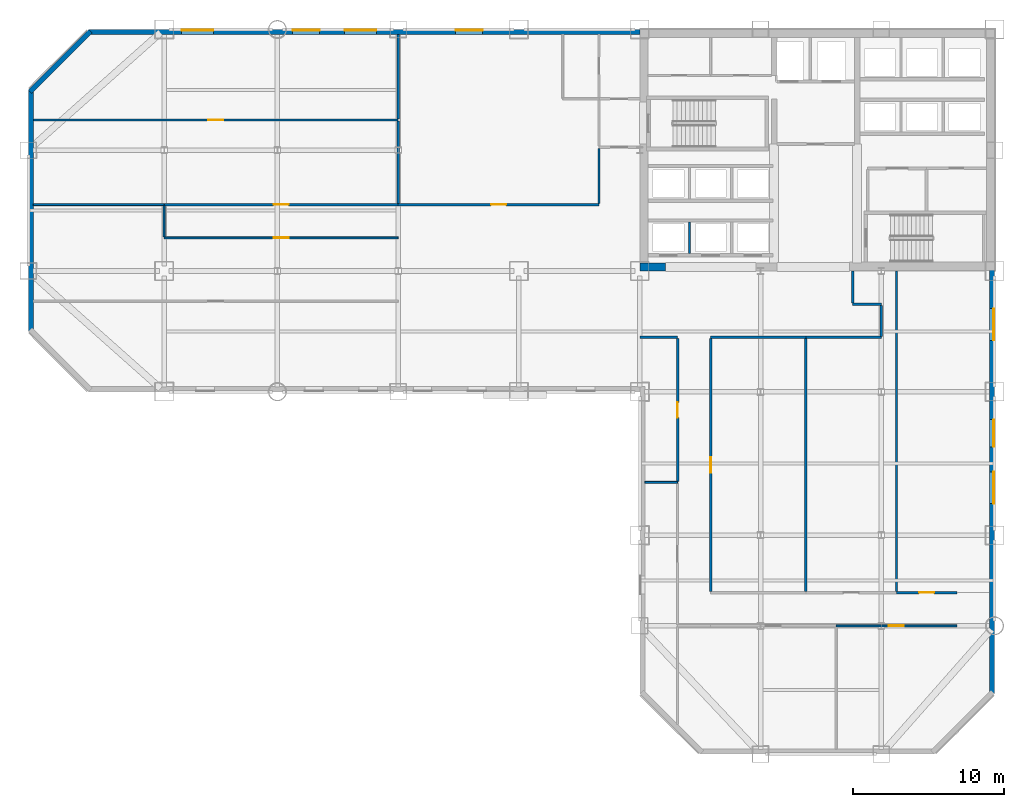
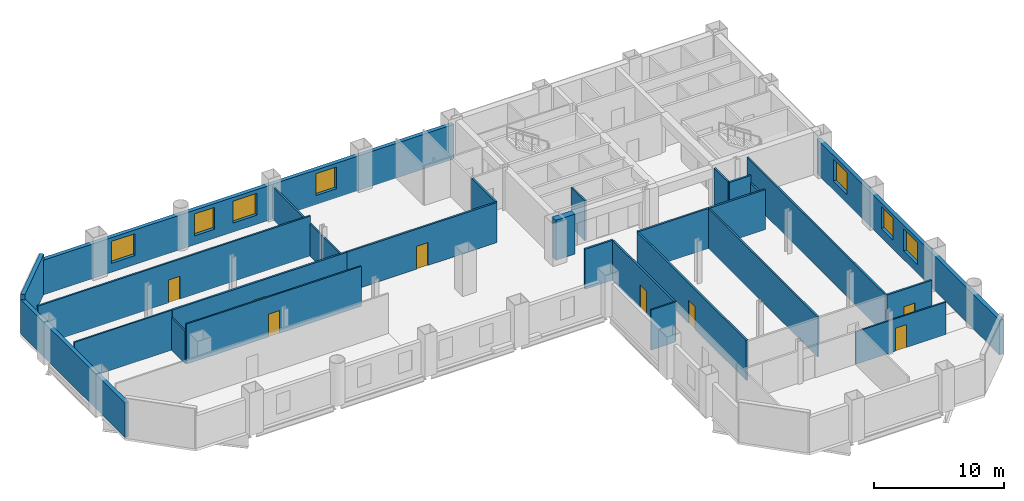
# One storey, part 5 of 9: 28 walls, 8 doors, 7 windows, 15 openings.
"""IFC4 building model written with IfcOpenShell, lengths in metres."""

from ifc_helpers import new_model, si_unit, direction, frame, frame_2d, origin, place, context, subcontext, project, spatial, rectangle, extrude, material, layer, layer_set, type_object, element, fill, save


model = new_model("IFC4")

# Units and contexts
model_context = context("Model", 3, precision=1e-05, world=origin(), true_north=direction((0.0, 1.0)))
body_context = subcontext(model_context, "Body", "Model", "MODEL_VIEW")
ifc_project = project(units=[si_unit("LENGTHUNIT", "METRE"), si_unit("AREAUNIT", "SQUARE_METRE"), si_unit("VOLUMEUNIT", "CUBIC_METRE"), si_unit("PLANEANGLEUNIT", "RADIAN"), si_unit("MASSUNIT", "GRAM", prefix="KILO")], contexts=[model_context])

# Site, building, storey
site_placement = place(None, origin())
site = spatial("IfcSite", under=ifc_project, at=site_placement, CompositionType="ELEMENT")
building_placement = place(site_placement, origin())
building = spatial("IfcBuilding", under=site, at=building_placement, Name="Qianrong Seaharbour Tower", CompositionType="ELEMENT")
storey_placement = place(building_placement, frame((0.0, 0.0, 68.199951171875)))
storey = spatial("IfcBuildingStorey", under=building, at=storey_placement, Name="L16", CompositionType="ELEMENT", Elevation=68.199951171875)

# Wall
ifc_material_1 = material(Name="Concrete C70/85", Category="concrete")
ifc_layer_1 = layer(ifc_material_1, 0.5400390625)
ifc_layer_set_1 = layer_set([ifc_layer_1], Name="Concrete C70/85")
wall_type_1 = type_object("IfcWallType", Name="WALL-CORE-540", PredefinedType="SHEAR", material=ifc_layer_set_1)
wall_1_placement = place(storey_placement, frame((40.5, 36.27001953125, 0.0), z_axis=(0.0, 0.0, 1.0), x_axis=(1.0, 0.0, 0.0)))
element("IfcWall", 1, at=wall_1_placement, inside=storey, type_object=wall_type_1, Name="L16 South Core Shear Wall S1", PredefinedType="SHEAR", context=body_context, shape_type="SweptSolid", body=[
    extrude(rectangle(XDim=1.699951171875, YDim=0.5400390625, at=frame_2d((0.85009765625, 0.0))), origin(), (0.0, 0.0, 1.0), 3.75),
])

# Wall, opening, door
ifc_material_2 = material(Name="Fire-rated acoustic gypsum board partition")
ifc_layer_2 = layer(ifc_material_2, 0.1650390625)
ifc_layer_set_2 = layer_set([ifc_layer_2], Name="Fire-rated acoustic gypsum board partition")
wall_type_2 = type_object("IfcWallType", Name="WALL-CORR-PART-165", PredefinedType="PARTITIONING", material=ifc_layer_set_2)
wall_2_placement = place(storey_placement, frame((24.5, 40.39990234375, 0.0), z_axis=(0.0, 0.0, 1.0), x_axis=(1.0, 0.0, 0.0)))
wall_2 = element("IfcWall", 2, at=wall_2_placement, inside=storey, type_object=wall_type_2, Name="L16 Interior Partition Wall 015", PredefinedType="PARTITIONING", context=body_context, shape_type="SweptSolid", body=[
    extrude(rectangle(XDim=13.300048828125, YDim=0.1650390625, at=frame_2d((6.64990234375, 0.0))), origin(), (0.0, 0.0, 1.0), 3.75),
])
opening_1_placement = place(wall_2_placement, frame((6.14990234375, 0.0, 0.0)))
opening_1 = element("IfcOpeningElement", 3, at=opening_1_placement, cuts=wall_2, Name="Opening DO-01", PredefinedType="OPENING", context=body_context, shape_type="SweptSolid", body=[
    extrude(rectangle(XDim=1.0, YDim=2.14990234375, at=frame_2d((0.5, 1.074951171875))), frame((0.0, 0.092529296875, 0.0), z_axis=(0.0, -1.0, 0.0), x_axis=(1.0, 0.0, 0.0)), (0.0, 0.0, 1.0), 0.18505859375),
])
ifc_material_3 = material(Name="Acoustic timber and galvanized steel fire door assembly", Category="steel")
door_type = type_object("IfcDoorType", Name="DOOR-OFFICE-1000x2150", OperationType="NOTDEFINED", PredefinedType="DOOR", material=ifc_material_3)
door_1_placement = place(opening_1_placement, origin())
door_1 = element("IfcDoor", 4, at=door_1_placement, inside=storey, type_object=door_type, Name="L16 Central Spine Open-Plan Office Door", OperationType="SINGLE_SWING_RIGHT", OverallHeight=2.14990234375, OverallWidth=1.0, PredefinedType="DOOR", context=body_context, shape_type="SweptSolid", body=[
    extrude(rectangle(XDim=1.0, YDim=2.14990234375, at=frame_2d((0.5, 1.074951171875))), frame((0.0, 0.02490234375, 0.0), z_axis=(0.0, -1.0, 0.0), x_axis=(1.0, 0.0, 0.0)), (0.0, 0.0, 1.0), 0.050048828125),
])
fill(opening_1, door_1)

wall_3_placement = place(storey_placement, frame((9.0, 40.39990234375, 0.0), z_axis=(0.0, 0.0, 1.0), x_axis=(1.0, 0.0, 0.0)))
wall_3 = element("IfcWall", 5, at=wall_3_placement, inside=storey, type_object=wall_type_2, Name="L16 Interior Partition Wall 018", PredefinedType="PARTITIONING", context=body_context, shape_type="SweptSolid", body=[
    extrude(rectangle(XDim=15.5, YDim=0.1650390625, at=frame_2d((7.75, 0.0))), origin(), (0.0, 0.0, 1.0), 3.75),
])
opening_2_placement = place(wall_3_placement, frame((7.25, 0.0, 0.0)))
opening_2 = element("IfcOpeningElement", 6, at=opening_2_placement, cuts=wall_3, Name="Opening DO-01", PredefinedType="OPENING", context=body_context, shape_type="SweptSolid", body=[
    extrude(rectangle(XDim=1.0, YDim=2.14990234375, at=frame_2d((0.5, 1.074951171875))), frame((0.0, 0.092529296875, 0.0), z_axis=(0.0, -1.0, 0.0), x_axis=(1.0, 0.0, 0.0)), (0.0, 0.0, 1.0), 0.18505859375),
])
door_2_placement = place(opening_2_placement, origin())
door_2 = element("IfcDoor", 7, at=door_2_placement, inside=storey, type_object=door_type, Name="L16 Hospitality Dining Room 3 Door", OperationType="SINGLE_SWING_LEFT", OverallHeight=2.14990234375, OverallWidth=1.0, PredefinedType="DOOR", context=body_context, shape_type="SweptSolid", body=[
    extrude(rectangle(XDim=1.0, YDim=2.14990234375, at=frame_2d((0.5, 1.074951171875))), frame((0.0, 0.02490234375, 0.0), z_axis=(0.0, -1.0, 0.0), x_axis=(1.0, 0.0, 0.0)), (0.0, 0.0, 1.0), 0.050048828125),
])
fill(opening_2, door_2)

# Walls
wall_4_placement = place(storey_placement, frame((37.800048828125, 40.474609375, 0.0), z_axis=(0.0, 0.0, 1.0), x_axis=(0.0, 1.0, 0.0)))
element("IfcWall", 8, at=wall_4_placement, inside=storey, type_object=wall_type_2, Name="L16 Interior Partition Wall 019", PredefinedType="PARTITIONING", context=body_context, shape_type="SweptSolid", body=[
    extrude(rectangle(XDim=3.65087890625, YDim=0.1650390625, at=frame_2d((1.825439453125, 0.0))), origin(), (0.0, 0.0, 1.0), 3.75),
])
wall_5_placement = place(storey_placement, frame((51.5, 31.60009765625, 0.0), z_axis=(0.0, 0.0, 1.0), x_axis=(-1.0, 0.0, 0.0)))
element("IfcWall", 9, at=wall_5_placement, inside=storey, type_object=wall_type_2, Name="L16 Interior Partition Wall 020", PredefinedType="PARTITIONING", context=body_context, shape_type="SweptSolid", body=[
    extrude(rectangle(XDim=6.300048828125, YDim=0.1650390625, at=frame_2d((3.14990234375, 0.0))), origin(), (0.0, 0.0, 1.0), 3.75),
])
wall_6_placement = place(storey_placement, frame((54.60009765625, 36.0, 0.0), z_axis=(0.0, 0.0, 1.0), x_axis=(0.0, -1.0, 0.0)))
element("IfcWall", 10, at=wall_6_placement, inside=storey, type_object=wall_type_2, Name="L16 Interior Partition Wall 021", PredefinedType="PARTITIONING", context=body_context, shape_type="SweptSolid", body=[
    extrude(rectangle(XDim=2.12548828125, YDim=0.1650390625, at=frame_2d((1.062744140625, 0.0))), origin(), (0.0, 0.0, 1.0), 3.75),
])
wall_7_placement = place(storey_placement, frame((54.60009765625, 33.800048828125, 0.0), z_axis=(0.0, 0.0, 1.0), x_axis=(1.0, 0.0, 0.0)))
element("IfcWall", 11, at=wall_7_placement, inside=storey, type_object=wall_type_2, Name="L16 Interior Partition Wall 022", PredefinedType="PARTITIONING", context=body_context, shape_type="SweptSolid", body=[
    extrude(rectangle(XDim=1.89990234375, YDim=0.1650390625, at=frame_2d((0.949951171875, 0.0))), origin(), (0.0, 0.0, 1.0), 3.75),
])
wall_8_placement = place(storey_placement, frame((56.5, 33.7255859375, 0.0), z_axis=(0.0, 0.0, 1.0), x_axis=(0.0, -1.0, 0.0)))
element("IfcWall", 12, at=wall_8_placement, inside=storey, type_object=wall_type_2, Name="L16 Interior Partition Wall 023", PredefinedType="PARTITIONING", context=body_context, shape_type="SweptSolid", body=[
    extrude(rectangle(XDim=2.051025390625, YDim=0.1650390625, at=frame_2d((1.025390625, 0.0))), origin(), (0.0, 0.0, 1.0), 3.0419921875),
])
wall_9_placement = place(storey_placement, frame((56.5, 31.60009765625, 0.0), z_axis=(0.0, 0.0, 1.0), x_axis=(-1.0, 0.0, 0.0)))
element("IfcWall", 13, at=wall_9_placement, inside=storey, type_object=wall_type_2, Name="L16 Interior Partition Wall 024", PredefinedType="PARTITIONING", context=body_context, shape_type="SweptSolid", body=[
    extrude(rectangle(XDim=5.0, YDim=0.1650390625, at=frame_2d((2.5, 0.0))), origin(), (0.0, 0.0, 1.0), 3.75),
])
wall_10_placement = place(storey_placement, frame((43.0, 31.60009765625, 0.0), z_axis=(0.0, 0.0, 1.0), x_axis=(-1.0, 0.0, 0.0)))
element("IfcWall", 14, at=wall_10_placement, inside=storey, type_object=wall_type_2, Name="L16 Interior Partition Wall 025", PredefinedType="PARTITIONING", context=body_context, shape_type="SweptSolid", body=[
    extrude(rectangle(XDim=2.5, YDim=0.1650390625, at=frame_2d((1.25, 0.0))), origin(), (0.0, 0.0, 1.0), 3.75),
])

# Wall, opening, door
wall_11_placement = place(storey_placement, frame((45.199951171875, 31.525390625, 0.0), z_axis=(0.0, 0.0, 1.0), x_axis=(0.0, -1.0, 0.0)))
wall_11 = element("IfcWall", 15, at=wall_11_placement, inside=storey, type_object=wall_type_2, Name="L16 Interior Partition Wall 026", PredefinedType="PARTITIONING", context=body_context, shape_type="SweptSolid", body=[
    extrude(rectangle(XDim=16.7509765625, YDim=0.1650390625, at=frame_2d((8.37548828125, 0.0))), origin(), (0.0, 0.0, 1.0), 3.75),
])
opening_3_placement = place(wall_11_placement, frame((7.87548828125, 0.0, 0.0)))
opening_3 = element("IfcOpeningElement", 16, at=opening_3_placement, cuts=wall_11, Name="Opening DO-01", PredefinedType="OPENING", context=body_context, shape_type="SweptSolid", body=[
    extrude(rectangle(XDim=1.0, YDim=2.14990234375, at=frame_2d((0.5, 1.074951171875))), frame((0.0, 0.092529296875, 0.0), z_axis=(0.0, -1.0, 0.0), x_axis=(1.0, 0.0, 0.0)), (0.0, 0.0, 1.0), 0.18505859375),
])
door_3_placement = place(opening_3_placement, origin())
door_3 = element("IfcDoor", 17, at=door_3_placement, inside=storey, type_object=door_type, Name="L16 East Harbour Dining Salon 1 Door", OperationType="SINGLE_SWING_LEFT", OverallHeight=2.14990234375, OverallWidth=1.0, PredefinedType="DOOR", context=body_context, shape_type="SweptSolid", body=[
    extrude(rectangle(XDim=1.0, YDim=2.14990234375, at=frame_2d((0.5, 1.074951171875))), frame((0.0, 0.02490234375, 0.0), z_axis=(0.0, -1.0, 0.0), x_axis=(1.0, 0.0, 0.0)), (0.0, 0.0, 1.0), 0.050048828125),
])
fill(opening_3, door_3)

wall_12_placement = place(storey_placement, frame((43.0, 22.056884765625, 0.0), z_axis=(0.0, 0.0, 1.0), x_axis=(0.0, 1.0, 0.0)))
wall_12 = element("IfcWall", 18, at=wall_12_placement, inside=storey, type_object=wall_type_2, Name="L16 Interior Partition Wall 028", PredefinedType="PARTITIONING", context=body_context, shape_type="SweptSolid", body=[
    extrude(rectangle(XDim=9.468505859375, YDim=0.1650390625, at=frame_2d((4.734375, 0.0))), origin(), (0.0, 0.0, 1.0), 3.75),
])
opening_4_placement = place(wall_12_placement, frame((4.234375, 0.0, 0.0)))
opening_4 = element("IfcOpeningElement", 19, at=opening_4_placement, cuts=wall_12, Name="Opening DO-01", PredefinedType="OPENING", context=body_context, shape_type="SweptSolid", body=[
    extrude(rectangle(XDim=1.0, YDim=2.14990234375, at=frame_2d((0.5, 1.074951171875))), frame((0.0, 0.092529296875, 0.0), z_axis=(0.0, -1.0, 0.0), x_axis=(1.0, 0.0, 0.0)), (0.0, 0.0, 1.0), 0.18505859375),
])
door_4_placement = place(opening_4_placement, origin())
door_4 = element("IfcDoor", 20, at=door_4_placement, inside=storey, type_object=door_type, Name="L16 Concierge Office 2 Door", OperationType="SINGLE_SWING_LEFT", OverallHeight=2.14990234375, OverallWidth=1.0, PredefinedType="DOOR", context=body_context, shape_type="SweptSolid", body=[
    extrude(rectangle(XDim=1.0, YDim=2.14990234375, at=frame_2d((0.5, 1.074951171875))), frame((0.0, 0.02490234375, 0.0), z_axis=(0.0, -1.0, 0.0), x_axis=(1.0, 0.0, 0.0)), (0.0, 0.0, 1.0), 0.050048828125),
])
fill(opening_4, door_4)

wall_13_placement = place(storey_placement, frame((57.5, 14.699951171875, 0.0), z_axis=(0.0, 0.0, 1.0), x_axis=(1.0, 0.0, 0.0)))
wall_13 = element("IfcWall", 21, at=wall_13_placement, inside=storey, type_object=wall_type_2, Name="L16 Interior Partition Wall 032", PredefinedType="PARTITIONING", context=body_context, shape_type="SweptSolid", body=[
    extrude(rectangle(XDim=4.0, YDim=0.1650390625, at=frame_2d((2.0, 0.0))), origin(), (0.0, 0.0, 1.0), 3.75),
])
opening_5_placement = place(wall_13_placement, frame((1.5, 0.0, 0.0)))
opening_5 = element("IfcOpeningElement", 22, at=opening_5_placement, cuts=wall_13, Name="Opening DO-01", PredefinedType="OPENING", context=body_context, shape_type="SweptSolid", body=[
    extrude(rectangle(XDim=1.0, YDim=2.14990234375, at=frame_2d((0.5, 1.074951171875))), frame((0.0, 0.092529296875, 0.0), z_axis=(0.0, -1.0, 0.0), x_axis=(1.0, 0.0, 0.0)), (0.0, 0.0, 1.0), 0.18505859375),
])
door_5_placement = place(opening_5_placement, origin())
door_5 = element("IfcDoor", 23, at=door_5_placement, inside=storey, type_object=door_type, Name="L16 Staff Lounge 3 Door", OperationType="SINGLE_SWING_LEFT", OverallHeight=2.14990234375, OverallWidth=1.0, PredefinedType="DOOR", context=body_context, shape_type="SweptSolid", body=[
    extrude(rectangle(XDim=1.0, YDim=2.14990234375, at=frame_2d((0.5, 1.074951171875))), frame((0.0, 0.02490234375, 0.0), z_axis=(0.0, -1.0, 0.0), x_axis=(1.0, 0.0, 0.0)), (0.0, 0.0, 1.0), 0.050048828125),
])
fill(opening_5, door_5)

# Walls
ifc_material_4 = material(Name="Unitised buff brick on Precast concrete C45/55", Category="masonry")
ifc_layer_3 = layer(ifc_material_4, 0.340087890625)
ifc_layer_set_3 = layer_set([ifc_layer_3], Name="Unitised buff brick on Precast concrete C45/55")
wall_type_3 = type_object("IfcWallType", Name="WALL-EXT-BRICK-BUFF-340", PredefinedType="SOLIDWALL", material=ifc_layer_set_3)
wall_14_placement = place(storey_placement, frame((0.169921875, 32.0, 0.0), z_axis=(0.0, 0.0, 1.0), x_axis=(0.0, 1.0, 0.0)))
element("IfcWall", 24, at=wall_14_placement, inside=storey, type_object=wall_type_3, Name="L16 Exterior Masonry Facade Wall WEST_TIP", PredefinedType="SOLIDWALL", context=body_context, shape_type="SweptSolid", body=[
    extrude(rectangle(XDim=16.0, YDim=0.340087890625, at=frame_2d((8.0, 0.0))), origin(), (0.0, 0.0, 1.0), 3.25),
])
wall_15_placement = place(storey_placement, frame((0.1201171875, 47.8798828125, 0.0), z_axis=(0.0, 0.0, 1.0), x_axis=(0.707106781187, 0.707106781187, 0.0)))
element("IfcWall", 25, at=wall_15_placement, inside=storey, type_object=wall_type_3, Name="L16 Exterior Masonry Facade Wall E04", PredefinedType="SOLIDWALL", context=body_context, shape_type="SweptSolid", body=[
    extrude(rectangle(XDim=5.65673828125, YDim=0.340087890625, at=frame_2d((2.828369140625, 0.0))), origin(), (0.0, 0.0, 1.0), 3.75),
])

# Wall, openings, windows
wall_16_placement = place(storey_placement, frame((4.0, 51.830078125, 0.0), z_axis=(0.0, 0.0, 1.0), x_axis=(1.0, 0.0, 0.0)))
wall_16 = element("IfcWall", 26, at=wall_16_placement, inside=storey, type_object=wall_type_3, Name="L16 Exterior Masonry Facade Wall NORTH_WING", PredefinedType="SOLIDWALL", context=body_context, shape_type="SweptSolid", body=[
    extrude(rectangle(XDim=36.52001953125, YDim=0.340087890625, at=frame_2d((18.260009765625, 0.0))), origin(), (0.0, 0.0, 1.0), 3.25),
])
opening_6_placement = place(wall_16_placement, frame((6.14990234375, 0.0, 0.85009765625)))
opening_6 = element("IfcOpeningElement", 27, at=opening_6_placement, cuts=wall_16, Name="Opening WN-06", PredefinedType="OPENING", context=body_context, shape_type="SweptSolid", body=[
    extrude(rectangle(XDim=2.10009765625, YDim=2.050048828125, at=frame_2d((1.050048828125, 1.02490234375))), frame((0.0, 0.18017578125, 0.0), z_axis=(0.0, -1.0, 0.0), x_axis=(1.0, 0.0, 0.0)), (0.0, 0.0, 1.0), 0.360107421875),
])
opening_7_placement = place(wall_16_placement, frame((13.5, 0.0, 0.85009765625)))
opening_7 = element("IfcOpeningElement", 28, at=opening_7_placement, cuts=wall_16, Name="Opening WN-05", PredefinedType="OPENING", context=body_context, shape_type="SweptSolid", body=[
    extrude(rectangle(XDim=1.800048828125, YDim=2.050048828125, at=frame_2d((0.89990234375, 1.02490234375))), frame((0.0, 0.18017578125, 0.0), z_axis=(0.0, -1.0, 0.0), x_axis=(1.0, 0.0, 0.0)), (0.0, 0.0, 1.0), 0.360107421875),
])
opening_8_placement = place(wall_16_placement, frame((16.949951171875, 0.0, 0.85009765625)))
opening_8 = element("IfcOpeningElement", 29, at=opening_8_placement, cuts=wall_16, Name="Opening WN-06", PredefinedType="OPENING", context=body_context, shape_type="SweptSolid", body=[
    extrude(rectangle(XDim=2.10009765625, YDim=2.050048828125, at=frame_2d((1.050048828125, 1.02490234375))), frame((0.0, 0.18017578125, 0.0), z_axis=(0.0, -1.0, 0.0), x_axis=(1.0, 0.0, 0.0)), (0.0, 0.0, 1.0), 0.360107421875),
])
opening_9_placement = place(wall_16_placement, frame((24.300048828125, 0.0, 0.85009765625)))
opening_9 = element("IfcOpeningElement", 30, at=opening_9_placement, cuts=wall_16, Name="Opening WN-05", PredefinedType="OPENING", context=body_context, shape_type="SweptSolid", body=[
    extrude(rectangle(XDim=1.800048828125, YDim=2.050048828125, at=frame_2d((0.89990234375, 1.02490234375))), frame((0.0, 0.18017578125, 0.0), z_axis=(0.0, -1.0, 0.0), x_axis=(1.0, 0.0, 0.0)), (0.0, 0.0, 1.0), 0.360107421875),
])
ifc_material_5 = material(Name="Insulated low-e double glazing in thermally broken aluminium 6063-T6 frame", Category="aluminium")
window_type_1 = type_object("IfcWindowType", Name="WIN-PUNCH-1800x2050", PartitioningType="TRIPLE_PANEL_VERTICAL", PredefinedType="WINDOW", material=ifc_material_5)
window_1_placement = place(opening_7_placement, origin())
window_1 = element("IfcWindow", 31, at=window_1_placement, inside=storey, type_object=window_type_1, Name="L16 Deep-Set Punched Window 05.04", OverallHeight=2.050048828125, OverallWidth=1.800048828125, PartitioningType="TRIPLE_PANEL_VERTICAL", PredefinedType="WINDOW", context=body_context, shape_type="SweptSolid", body=[
    extrude(rectangle(XDim=1.800048828125, YDim=2.050048828125, at=frame_2d((0.89990234375, 1.02490234375))), frame((0.0, 0.150146484375, 0.0), z_axis=(0.0, -1.0, 0.0), x_axis=(1.0, 0.0, 0.0)), (0.0, 0.0, 1.0), 0.06005859375),
])
fill(opening_7, window_1)
window_2_placement = place(opening_9_placement, origin())
window_2 = element("IfcWindow", 32, at=window_2_placement, inside=storey, type_object=window_type_1, Name="L16 Deep-Set Punched Window 05.07", OverallHeight=2.050048828125, OverallWidth=1.800048828125, PartitioningType="TRIPLE_PANEL_VERTICAL", PredefinedType="WINDOW", context=body_context, shape_type="SweptSolid", body=[
    extrude(rectangle(XDim=1.800048828125, YDim=2.050048828125, at=frame_2d((0.89990234375, 1.02490234375))), frame((0.0, 0.150146484375, 0.0), z_axis=(0.0, -1.0, 0.0), x_axis=(1.0, 0.0, 0.0)), (0.0, 0.0, 1.0), 0.06005859375),
])
fill(opening_9, window_2)
window_type_2 = type_object("IfcWindowType", Name="WIN-PUNCH-2100x2050", PartitioningType="TRIPLE_PANEL_VERTICAL", PredefinedType="WINDOW", material=ifc_material_5)
window_3_placement = place(opening_6_placement, origin())
window_3 = element("IfcWindow", 33, at=window_3_placement, inside=storey, type_object=window_type_2, Name="L16 Deep-Set Punched Window 05.02", OverallHeight=2.050048828125, OverallWidth=2.10009765625, PartitioningType="TRIPLE_PANEL_VERTICAL", PredefinedType="WINDOW", context=body_context, shape_type="SweptSolid", body=[
    extrude(rectangle(XDim=2.10009765625, YDim=2.050048828125, at=frame_2d((1.050048828125, 1.02490234375))), frame((0.0, 0.150146484375, 0.0), z_axis=(0.0, -1.0, 0.0), x_axis=(1.0, 0.0, 0.0)), (0.0, 0.0, 1.0), 0.06005859375),
])
fill(opening_6, window_3)
window_4_placement = place(opening_8_placement, origin())
window_4 = element("IfcWindow", 34, at=window_4_placement, inside=storey, type_object=window_type_2, Name="L16 Deep-Set Punched Window 05.05", OverallHeight=2.050048828125, OverallWidth=2.10009765625, PartitioningType="TRIPLE_PANEL_VERTICAL", PredefinedType="WINDOW", context=body_context, shape_type="SweptSolid", body=[
    extrude(rectangle(XDim=2.10009765625, YDim=2.050048828125, at=frame_2d((1.050048828125, 1.02490234375))), frame((0.0, 0.150146484375, 0.0), z_axis=(0.0, -1.0, 0.0), x_axis=(1.0, 0.0, 0.0)), (0.0, 0.0, 1.0), 0.06005859375),
])
fill(opening_8, window_4)

wall_17_placement = place(storey_placement, frame((63.830078125, 36.050048828125, 0.0), z_axis=(0.0, 0.0, 1.0), x_axis=(0.0, -1.0, 0.0)))
wall_17 = element("IfcWall", 35, at=wall_17_placement, inside=storey, type_object=wall_type_3, Name="L16 Exterior Masonry Facade Wall EAST_WING", PredefinedType="SOLIDWALL", context=body_context, shape_type="SweptSolid", body=[
    extrude(rectangle(XDim=28.050048828125, YDim=0.340087890625, at=frame_2d((14.02490234375, 0.0))), origin(), (0.0, 0.0, 1.0), 3.25),
])
opening_10_placement = place(wall_17_placement, frame((2.550048828125, 0.0, 0.85009765625)))
opening_10 = element("IfcOpeningElement", 36, at=opening_10_placement, cuts=wall_17, Name="Opening WN-06", PredefinedType="OPENING", context=body_context, shape_type="SweptSolid", body=[
    extrude(rectangle(XDim=2.10009765625, YDim=2.050048828125, at=frame_2d((1.050048828125, 1.02490234375))), frame((0.0, 0.18017578125, 0.0), z_axis=(0.0, -1.0, 0.0), x_axis=(1.0, 0.0, 0.0)), (0.0, 0.0, 1.0), 0.360107421875),
])
opening_11_placement = place(wall_17_placement, frame((9.89990234375, 0.0, 0.85009765625)))
opening_11 = element("IfcOpeningElement", 37, at=opening_11_placement, cuts=wall_17, Name="Opening WN-05", PredefinedType="OPENING", context=body_context, shape_type="SweptSolid", body=[
    extrude(rectangle(XDim=1.800048828125, YDim=2.050048828125, at=frame_2d((0.89990234375, 1.02490234375))), frame((0.0, 0.18017578125, 0.0), z_axis=(0.0, -1.0, 0.0), x_axis=(1.0, 0.0, 0.0)), (0.0, 0.0, 1.0), 0.360107421875),
])
opening_12_placement = place(wall_17_placement, frame((13.35009765625, 0.0, 0.85009765625)))
opening_12 = element("IfcOpeningElement", 38, at=opening_12_placement, cuts=wall_17, Name="Opening WN-06", PredefinedType="OPENING", context=body_context, shape_type="SweptSolid", body=[
    extrude(rectangle(XDim=2.10009765625, YDim=2.050048828125, at=frame_2d((1.050048828125, 1.02490234375))), frame((0.0, 0.18017578125, 0.0), z_axis=(0.0, -1.0, 0.0), x_axis=(1.0, 0.0, 0.0)), (0.0, 0.0, 1.0), 0.360107421875),
])
window_5_placement = place(opening_11_placement, origin())
window_5 = element("IfcWindow", 39, at=window_5_placement, inside=storey, type_object=window_type_1, Name="L16 Deep-Set Punched Window 06.03", OverallHeight=2.050048828125, OverallWidth=1.800048828125, PartitioningType="TRIPLE_PANEL_VERTICAL", PredefinedType="WINDOW", context=body_context, shape_type="SweptSolid", body=[
    extrude(rectangle(XDim=1.800048828125, YDim=2.050048828125, at=frame_2d((0.89990234375, 1.02490234375))), frame((0.0, 0.150146484375, 0.0), z_axis=(0.0, -1.0, 0.0), x_axis=(1.0, 0.0, 0.0)), (0.0, 0.0, 1.0), 0.06005859375),
])
fill(opening_11, window_5)
window_6_placement = place(opening_10_placement, origin())
window_6 = element("IfcWindow", 40, at=window_6_placement, inside=storey, type_object=window_type_2, Name="L16 Deep-Set Punched Window 06.01", OverallHeight=2.050048828125, OverallWidth=2.10009765625, PartitioningType="TRIPLE_PANEL_VERTICAL", PredefinedType="WINDOW", context=body_context, shape_type="SweptSolid", body=[
    extrude(rectangle(XDim=2.10009765625, YDim=2.050048828125, at=frame_2d((1.050048828125, 1.02490234375))), frame((0.0, 0.150146484375, 0.0), z_axis=(0.0, -1.0, 0.0), x_axis=(1.0, 0.0, 0.0)), (0.0, 0.0, 1.0), 0.06005859375),
])
fill(opening_10, window_6)
window_7_placement = place(opening_12_placement, origin())
window_7 = element("IfcWindow", 41, at=window_7_placement, inside=storey, type_object=window_type_2, Name="L16 Deep-Set Punched Window 06.04", OverallHeight=2.050048828125, OverallWidth=2.10009765625, PartitioningType="TRIPLE_PANEL_VERTICAL", PredefinedType="WINDOW", context=body_context, shape_type="SweptSolid", body=[
    extrude(rectangle(XDim=2.10009765625, YDim=2.050048828125, at=frame_2d((1.050048828125, 1.02490234375))), frame((0.0, 0.150146484375, 0.0), z_axis=(0.0, -1.0, 0.0), x_axis=(1.0, 0.0, 0.0)), (0.0, 0.0, 1.0), 0.06005859375),
])
fill(opening_12, window_7)

# Walls
ifc_material_6 = material(Name="Acoustic gypsum board stud partition")
ifc_layer_4 = layer(ifc_material_6, 0.14501953125)
ifc_layer_set_4 = layer_set([ifc_layer_4], Name="Acoustic gypsum board stud partition")
wall_type_4 = type_object("IfcWallType", Name="WALL-OFFICE-PART-145", PredefinedType="PARTITIONING", material=ifc_layer_set_4)
wall_18_placement = place(storey_placement, frame((24.5, 40.474609375, 0.0), z_axis=(0.0, 0.0, 1.0), x_axis=(0.0, 1.0, 0.0)))
element("IfcWall", 42, at=wall_18_placement, inside=storey, type_object=wall_type_4, Name="L16 Interior Partition Wall 035", PredefinedType="PARTITIONING", context=body_context, shape_type="SweptSolid", body=[
    extrude(rectangle(XDim=5.4609375, YDim=0.14501953125, at=frame_2d((2.73046875, 0.0))), origin(), (0.0, 0.0, 1.0), 3.0419921875),
])
wall_19_placement = place(storey_placement, frame((24.5, 46.064453125, 0.0), z_axis=(0.0, 0.0, 1.0), x_axis=(0.0, 1.0, 0.0)))
element("IfcWall", 43, at=wall_19_placement, inside=storey, type_object=wall_type_4, Name="L16 Interior Partition Wall 036", PredefinedType="PARTITIONING", context=body_context, shape_type="SweptSolid", body=[
    extrude(rectangle(XDim=5.603515625, YDim=0.14501953125, at=frame_2d((2.8017578125, 0.0))), origin(), (0.0, 0.0, 1.0), 3.0419921875),
])

# Wall, opening, door
wall_20_placement = place(storey_placement, frame((0.33203125, 46.0, 0.0), z_axis=(0.0, 0.0, 1.0), x_axis=(1.0, 0.0, 0.0)))
wall_20 = element("IfcWall", 44, at=wall_20_placement, inside=storey, type_object=wall_type_4, Name="L16 Interior Partition Wall 039", PredefinedType="PARTITIONING", context=body_context, shape_type="SweptSolid", body=[
    extrude(rectangle(XDim=24.16796875, YDim=0.14501953125, at=frame_2d((12.083984375, 0.0))), origin(), (0.0, 0.0, 1.0), 3.75),
])
opening_13_placement = place(wall_20_placement, frame((11.583984375, 0.0, 0.0)))
opening_13 = element("IfcOpeningElement", 45, at=opening_13_placement, cuts=wall_20, Name="Opening DO-01", PredefinedType="OPENING", context=body_context, shape_type="SweptSolid", body=[
    extrude(rectangle(XDim=1.0, YDim=2.14990234375, at=frame_2d((0.5, 1.074951171875))), frame((0.0, 0.08251953125, 0.0), z_axis=(0.0, -1.0, 0.0), x_axis=(1.0, 0.0, 0.0)), (0.0, 0.0, 1.0), 0.1650390625),
])
door_6_placement = place(opening_13_placement, origin())
door_6 = element("IfcDoor", 46, at=door_6_placement, inside=storey, type_object=door_type, Name="L16 Quiet Sitting Lounge 4 Door", OperationType="SINGLE_SWING_RIGHT", OverallHeight=2.14990234375, OverallWidth=1.0, PredefinedType="DOOR", context=body_context, shape_type="SweptSolid", body=[
    extrude(rectangle(XDim=1.0, YDim=2.14990234375, at=frame_2d((0.5, 1.074951171875))), frame((0.0, 0.02490234375, 0.0), z_axis=(0.0, -1.0, 0.0), x_axis=(1.0, 0.0, 0.0)), (0.0, 0.0, 1.0), 0.050048828125),
])
fill(opening_13, door_6)

# Walls
wall_21_placement = place(storey_placement, frame((51.5, 31.525390625, 0.0), z_axis=(0.0, 0.0, 1.0), x_axis=(0.0, -1.0, 0.0)))
element("IfcWall", 47, at=wall_21_placement, inside=storey, type_object=wall_type_4, Name="L16 Interior Partition Wall 040", PredefinedType="PARTITIONING", context=body_context, shape_type="SweptSolid", body=[
    extrude(rectangle(XDim=16.7509765625, YDim=0.14501953125, at=frame_2d((8.37548828125, 0.0))), origin(), (0.0, 0.0, 1.0), 3.75),
])
wall_22_placement = place(storey_placement, frame((57.5, 36.0, 0.0), z_axis=(0.0, 0.0, 1.0), x_axis=(0.0, -1.0, 0.0)))
element("IfcWall", 48, at=wall_22_placement, inside=storey, type_object=wall_type_4, Name="L16 Interior Partition Wall 041", PredefinedType="PARTITIONING", context=body_context, shape_type="SweptSolid", body=[
    extrude(rectangle(XDim=21.2255859375, YDim=0.14501953125, at=frame_2d((10.61279296875, 0.0))), origin(), (0.0, 0.0, 1.0), 3.75),
])
ifc_material_7 = material(Name="Fire-rated gypsum board on steel studs", Category="steel")
ifc_layer_5 = layer(ifc_material_7, 0.14990234375)
ifc_layer_set_5 = layer_set([ifc_layer_5], Name="Fire-rated gypsum board on steel studs")
wall_type_5 = type_object("IfcWallType", Name="WALL-SHAFT-DIV-150", PredefinedType="PARTITIONING", material=ifc_layer_set_5)
wall_23_placement = place(storey_placement, frame((43.800048828125, 37.159912109375, 0.0), z_axis=(0.0, 0.0, 1.0), x_axis=(0.0, 1.0, 0.0)))
element("IfcWall", 49, at=wall_23_placement, inside=storey, type_object=wall_type_5, Name="L16 P1 Lift Hoistway Divider 2", PredefinedType="PARTITIONING", context=body_context, shape_type="SweptSolid", body=[
    extrude(rectangle(XDim=2.080078125, YDim=0.14990234375, at=frame_2d((1.0400390625, 0.0))), origin(), (0.0, 0.0, 1.0), 3.75),
])

# Wall, opening, door
ifc_material_8 = material(Name="Water-resistant cement board sanitary partition")
ifc_layer_6 = layer(ifc_material_8, 0.1298828125)
ifc_layer_set_6 = layer_set([ifc_layer_6], Name="Water-resistant cement board sanitary partition")
wall_type_6 = type_object("IfcWallType", Name="WALL-WET-PART-130", PredefinedType="PARTITIONING", material=ifc_layer_set_6)
wall_24_placement = place(storey_placement, frame((24.5, 38.199951171875, 0.0), z_axis=(0.0, 0.0, 1.0), x_axis=(-1.0, 0.0, 0.0)))
wall_24 = element("IfcWall", 50, at=wall_24_placement, inside=storey, type_object=wall_type_6, Name="L16 Interior Partition Wall 016", PredefinedType="PARTITIONING", context=body_context, shape_type="SweptSolid", body=[
    extrude(rectangle(XDim=15.5, YDim=0.1298828125, at=frame_2d((7.75, 0.0))), origin(), (0.0, 0.0, 1.0), 3.75),
])
opening_14_placement = place(wall_24_placement, frame((7.25, 0.0, 0.0)))
opening_14 = element("IfcOpeningElement", 51, at=opening_14_placement, cuts=wall_24, Name="Opening DO-01", PredefinedType="OPENING", context=body_context, shape_type="SweptSolid", body=[
    extrude(rectangle(XDim=1.0, YDim=2.14990234375, at=frame_2d((0.5, 1.074951171875))), frame((0.0, 0.074951171875, 0.0), z_axis=(0.0, -1.0, 0.0), x_axis=(1.0, 0.0, 0.0)), (0.0, 0.0, 1.0), 0.14990234375),
])
door_7_placement = place(opening_14_placement, origin())
door_7 = element("IfcDoor", 52, at=door_7_placement, inside=storey, type_object=door_type, Name="L16 Barista Coffee Pantry 2 Door", OperationType="SINGLE_SWING_RIGHT", OverallHeight=2.14990234375, OverallWidth=1.0, PredefinedType="DOOR", context=body_context, shape_type="SweptSolid", body=[
    extrude(rectangle(XDim=1.0, YDim=2.14990234375, at=frame_2d((0.5, 1.074951171875))), frame((0.0, 0.02490234375, 0.0), z_axis=(0.0, -1.0, 0.0), x_axis=(1.0, 0.0, 0.0)), (0.0, 0.0, 1.0), 0.050048828125),
])
fill(opening_14, door_7)

# Wall
wall_25_placement = place(storey_placement, frame((9.0, 38.257080078125, 0.0), z_axis=(0.0, 0.0, 1.0), x_axis=(0.0, 1.0, 0.0)))
element("IfcWall", 53, at=wall_25_placement, inside=storey, type_object=wall_type_6, Name="L16 Interior Partition Wall 017", PredefinedType="PARTITIONING", context=body_context, shape_type="SweptSolid", body=[
    extrude(rectangle(XDim=2.068359375, YDim=0.1298828125, at=frame_2d((1.0341796875, 0.0))), origin(), (0.0, 0.0, 1.0), 3.0419921875),
])

# Wall, opening, door
wall_26_placement = place(storey_placement, frame((61.5, 12.5, 0.0), z_axis=(0.0, 0.0, 1.0), x_axis=(-1.0, 0.0, 0.0)))
wall_26 = element("IfcWall", 54, at=wall_26_placement, inside=storey, type_object=wall_type_6, Name="L16 Interior Partition Wall 034", PredefinedType="PARTITIONING", context=body_context, shape_type="SweptSolid", body=[
    extrude(rectangle(XDim=8.0, YDim=0.1298828125, at=frame_2d((4.0, 0.0))), origin(), (0.0, 0.0, 1.0), 3.0419921875),
])
opening_15_placement = place(wall_26_placement, frame((3.5, 0.0, 0.0)))
opening_15 = element("IfcOpeningElement", 55, at=opening_15_placement, cuts=wall_26, Name="Opening DO-01", PredefinedType="OPENING", context=body_context, shape_type="SweptSolid", body=[
    extrude(rectangle(XDim=1.0, YDim=2.14990234375, at=frame_2d((0.5, 1.074951171875))), frame((0.0, 0.074951171875, 0.0), z_axis=(0.0, -1.0, 0.0), x_axis=(1.0, 0.0, 0.0)), (0.0, 0.0, 1.0), 0.14990234375),
])
door_8_placement = place(opening_15_placement, origin())
door_8 = element("IfcDoor", 56, at=door_8_placement, inside=storey, type_object=door_type, Name="L16 Tea Servery Pantry 2 Door", OperationType="SINGLE_SWING_LEFT", OverallHeight=2.14990234375, OverallWidth=1.0, PredefinedType="DOOR", context=body_context, shape_type="SweptSolid", body=[
    extrude(rectangle(XDim=1.0, YDim=2.14990234375, at=frame_2d((0.5, 1.074951171875))), frame((0.0, 0.02490234375, 0.0), z_axis=(0.0, -1.0, 0.0), x_axis=(1.0, 0.0, 0.0)), (0.0, 0.0, 1.0), 0.050048828125),
])
fill(opening_15, door_8)

# Walls
wall_27_placement = place(storey_placement, frame((0.33203125, 40.39990234375, 0.0), z_axis=(0.0, 0.0, 1.0), x_axis=(1.0, 0.0, 0.0)))
element("IfcWall", 57, at=wall_27_placement, inside=storey, type_object=wall_type_6, Name="L16 Interior Partition Wall 038", PredefinedType="PARTITIONING", context=body_context, shape_type="SweptSolid", body=[
    extrude(rectangle(XDim=8.66796875, YDim=0.1298828125, at=frame_2d((4.333984375, 0.0))), origin(), (0.0, 0.0, 1.0), 3.75),
])
wall_28_placement = place(storey_placement, frame((40.83203125, 22.0, 0.0), z_axis=(0.0, 0.0, 1.0), x_axis=(1.0, 0.0, 0.0)))
element("IfcWall", 58, at=wall_28_placement, inside=storey, type_object=wall_type_6, Name="L16 Interior Partition Wall 042", PredefinedType="PARTITIONING", context=body_context, shape_type="SweptSolid", body=[
    extrude(rectangle(XDim=2.16796875, YDim=0.1298828125, at=frame_2d((1.083984375, 0.0))), origin(), (0.0, 0.0, 1.0), 3.75),
])

save(model, "model.ifc")
